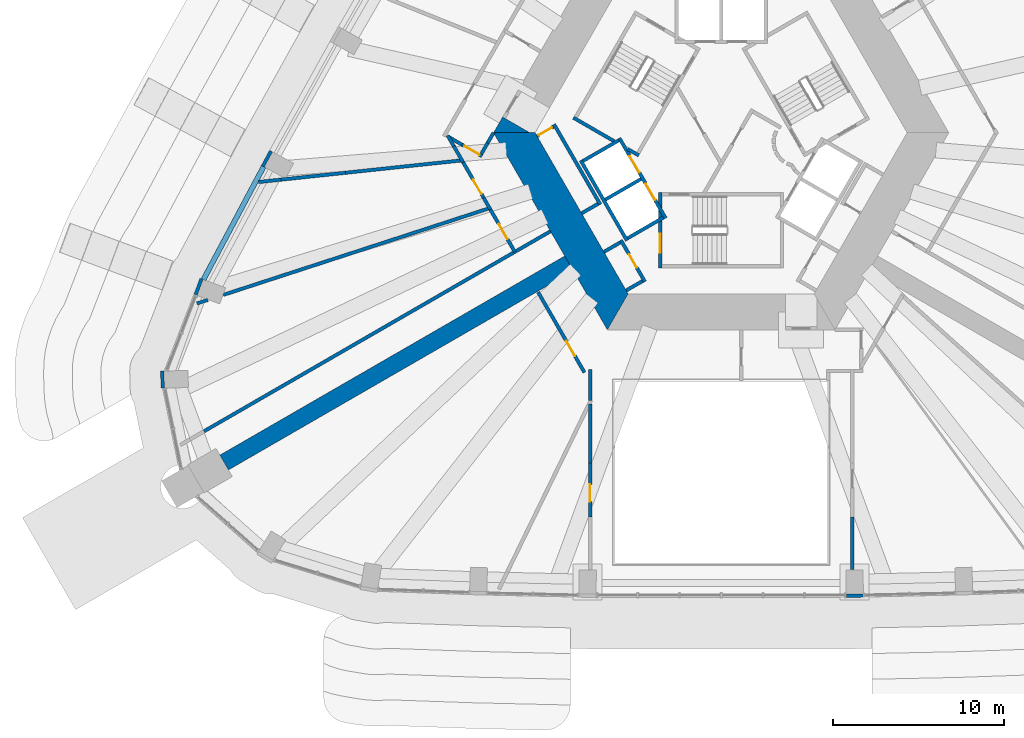
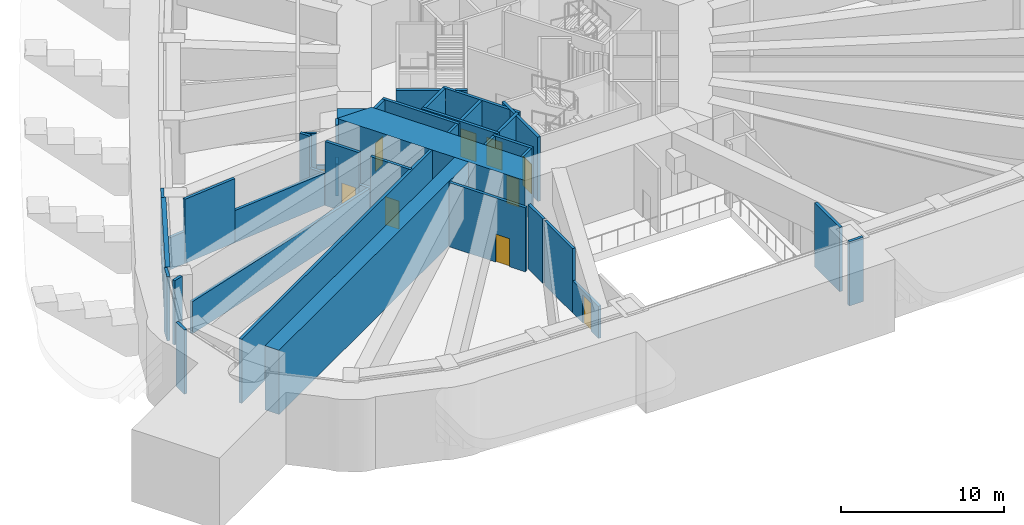
# One storey, part 8 of 21: 43 walls, 10 doors, 10 openings.
"""IFC4 building model written with IfcOpenShell, lengths in metres."""

from ifc_helpers import new_model, si_unit, direction, frame, frame_2d, origin, place, context, subcontext, project, spatial, polyline, rectangle, outline, extrude, material, layer, layer_set, type_object, element, fill, save


model = new_model("IFC4")

# Units and contexts
model_context = context("Model", 3, precision=1e-05, world=origin(), true_north=direction((0.0, 1.0)))
body_context = subcontext(model_context, "Body", "Model", "MODEL_VIEW")
ifc_project = project(units=[si_unit("LENGTHUNIT", "METRE"), si_unit("AREAUNIT", "SQUARE_METRE"), si_unit("VOLUMEUNIT", "CUBIC_METRE"), si_unit("PLANEANGLEUNIT", "RADIAN"), si_unit("MASSUNIT", "GRAM", prefix="KILO")], contexts=[model_context])

# Site, building, storey
site_placement = place(None, origin())
site = spatial("IfcSite", under=ifc_project, at=site_placement, CompositionType="ELEMENT")
building_placement = place(site_placement, origin())
building = spatial("IfcBuilding", under=site, at=building_placement, Name="Entoto Arch Interchange Tower", CompositionType="ELEMENT")
storey_placement = place(building_placement, frame((0.0, 0.0, 236.0)))
storey = spatial("IfcBuildingStorey", under=building, at=storey_placement, Name="L53", CompositionType="ELEMENT", Elevation=236.0)

# Walls
ifc_material_1 = material(Name="Concrete C50/60", Category="concrete")
ifc_layer_1 = layer(ifc_material_1, 2.10009765625)
ifc_layer_set_1 = layer_set([ifc_layer_1], Name="Concrete C50/60")
wall_type_1 = type_object("IfcWallType", Name="Core wall 2100 C50/60", PredefinedType="SHEAR", material=ifc_layer_set_1)
wall_1_placement = place(storey_placement, frame((0.0, 0.0, -0.60009765625)))
element("IfcWall", 1, at=wall_1_placement, inside=storey, type_object=wall_type_1, Name="Core wall NW L53", PredefinedType="SHEAR", context=body_context, shape_type="SweptSolid", body=[
    extrude(outline(polyline([(-11.159912109375, 2.5), (-12.7490234375, 3.4169921875), (-13.279052734375, 2.5), (-11.159912109375, 2.5)])), origin(), (0.0, 0.0, 1.0), 5.400146484375),
])
wall_2_placement = place(storey_placement, frame((0.0, 0.0, -0.60009765625)))
element("IfcWall", 2, at=wall_2_placement, inside=storey, type_object=wall_type_1, Name="Core wall SW L53", PredefinedType="SHEAR", context=body_context, shape_type="SweptSolid", body=[
    extrude(outline(polyline([(-13.279052734375, 2.5), (-6.639892578125, -9.0), (-5.427001953125, -6.89990234375), (-10.85400390625, 2.5), (-13.279052734375, 2.5)])), origin(), (0.0, 0.0, 1.0), 5.400146484375),
])

# Wall, openings, doors
ifc_material_2 = material(Name="Concrete C40/50", Category="concrete")
ifc_layer_2 = layer(ifc_material_2, 0.199951171875)
ifc_layer_set_2 = layer_set([ifc_layer_2], Name="Concrete C40/50")
wall_type_2 = type_object("IfcWallType", Name="LIFT SHAFT WALL 200", PredefinedType="STANDARD", material=ifc_layer_set_2)
wall_3_placement = place(storey_placement, frame((-5.93994140625, 2.18798828125, 0.0), z_axis=(0.0, 0.0, 1.0), x_axis=(0.500034260056, -0.866005622828, 0.0)))
wall_3 = element("IfcWall", 3, at=wall_3_placement, inside=storey, type_object=wall_type_2, Name="Shaft wall SW1 front", PredefinedType="STANDARD", context=body_context, shape_type="SweptSolid", body=[
    extrude(rectangle(XDim=5.3994140625, YDim=0.199951171875, at=frame_2d((2.69970703125, 0.0))), origin(), (0.0, 0.0, 1.0), 4.800048828125),
])
opening_1_placement = place(wall_3_placement, frame((3.074951171875, 0.0, 0.0)))
opening_1 = element("IfcOpeningElement", 4, at=opening_1_placement, cuts=wall_3, Name="Opening LD-HR4-L53", PredefinedType="OPENING", context=body_context, shape_type="SweptSolid", body=[
    extrude(rectangle(XDim=1.10009765625, YDim=2.10009765625, at=frame_2d((0.550048828125, 1.050048828125))), frame((0.0, 0.10986328125, 0.0), z_axis=(0.0, -1.0, 0.0), x_axis=(1.0, 0.0, 0.0)), (0.0, 0.0, 1.0), 0.219970703125),
])
opening_2_placement = place(wall_3_placement, frame((1.22509765625, 0.0, 0.0)))
opening_2 = element("IfcOpeningElement", 5, at=opening_2_placement, cuts=wall_3, Name="Opening LD-FF2-L53", PredefinedType="OPENING", context=body_context, shape_type="SweptSolid", body=[
    extrude(rectangle(XDim=1.10009765625, YDim=2.10009765625, at=frame_2d((0.550048828125, 1.050048828125))), frame((0.0, 0.10986328125, 0.0), z_axis=(0.0, -1.0, 0.0), x_axis=(1.0, 0.0, 0.0)), (0.0, 0.0, 1.0), 0.219970703125),
])
ifc_material_3 = material(Name="Stainless steel 1.4301 panels", Category="steel")
door_type_1 = type_object("IfcDoorType", Name="LIFT LANDING DOOR LD1 1100x2100", OperationType="SLIDING_TO_LEFT", PredefinedType="DOOR", material=ifc_material_3)
door_1_placement = place(opening_1_placement, origin())
door_1 = element("IfcDoor", 6, at=door_1_placement, inside=storey, type_object=door_type_1, Name="Lift landing door HR4 L53", OperationType="SLIDING_TO_LEFT", OverallHeight=2.10009765625, OverallWidth=1.10009765625, PredefinedType="DOOR", context=body_context, shape_type="SweptSolid", body=[
    extrude(rectangle(XDim=1.10009765625, YDim=2.10009765625, at=frame_2d((0.550048828125, 1.050048828125))), frame((0.0, 0.02490234375, 0.0), z_axis=(0.0, -1.0, 0.0), x_axis=(1.0, 0.0, 0.0)), (0.0, 0.0, 1.0), 0.050048828125),
])
fill(opening_1, door_1)
door_2_placement = place(opening_2_placement, origin())
door_2 = element("IfcDoor", 7, at=door_2_placement, inside=storey, type_object=door_type_1, Name="Lift landing door FF2 L53", OperationType="SLIDING_TO_LEFT", OverallHeight=2.10009765625, OverallWidth=1.10009765625, PredefinedType="DOOR", context=body_context, shape_type="SweptSolid", body=[
    extrude(rectangle(XDim=1.10009765625, YDim=2.10009765625, at=frame_2d((0.550048828125, 1.050048828125))), frame((0.0, 0.02490234375, 0.0), z_axis=(0.0, -1.0, 0.0), x_axis=(1.0, 0.0, 0.0)), (0.0, 0.0, 1.0), 0.050048828125),
])
fill(opening_2, door_2)

# Walls
wall_4_placement = place(storey_placement, frame((-8.19189453125, 0.887939453125, 0.0), z_axis=(0.0, 0.0, 1.0), x_axis=(0.500034260056, -0.866005622828, 0.0)))
element("IfcWall", 8, at=wall_4_placement, inside=storey, type_object=wall_type_2, Name="Shaft wall SW1 back", PredefinedType="STANDARD", context=body_context, shape_type="SweptSolid", body=[
    extrude(rectangle(XDim=5.3994140625, YDim=0.199951171875, at=frame_2d((2.69970703125, 0.0))), origin(), (0.0, 0.0, 1.0), 4.800048828125),
])
for number, where, z_axis, x_axis, name in (
    (9, (-5.97705078125, 2.052001953125, 0.0), (0.0, 0.0, 1.0), (-0.865973769406, -0.500089422704, 0.0), "Shaft wall SW1 cross 1"),
    (10, (-4.677001953125, -0.199951171875, 0.0), (0.0, 0.0, 1.0), (-0.865973769406, -0.500089422704, 0.0), "Shaft wall SW1 cross 2"),
):
    element("IfcWall", number, at=place(storey_placement, frame(where, z_axis=z_axis, x_axis=x_axis)), inside=storey, type_object=wall_type_2, Name=name, PredefinedType="STANDARD", context=body_context, shape_type="SweptSolid", body=[
        extrude(rectangle(XDim=2.3994140625, YDim=0.199951171875, at=frame_2d((1.19970703125, 0.0))), origin(), (0.0, 0.0, 1.0), 4.800048828125),
    ])
wall_5_placement = place(storey_placement, frame((-3.376953125, -2.451904296875, 0.0), z_axis=(0.0, 0.0, 1.0), x_axis=(-0.865955154139, -0.50012165622, 0.0)))
element("IfcWall", 11, at=wall_5_placement, inside=storey, type_object=wall_type_2, Name="Shaft wall SW1 cross 3", PredefinedType="STANDARD", context=body_context, shape_type="SweptSolid", body=[
    extrude(rectangle(XDim=2.39990234375, YDim=0.199951171875, at=frame_2d((1.199951171875, 0.0))), origin(), (0.0, 0.0, 1.0), 4.800048828125),
])
ifc_layer_3 = layer(ifc_material_1, 1.0)
ifc_layer_set_3 = layer_set([ifc_layer_3], Name="Concrete C50/60")
wall_type_3 = type_object("IfcWallType", Name="Outrigger wall 1000 C50/60", PredefinedType="SHEAR", material=ifc_layer_set_3)
wall_6_placement = place(storey_placement, frame((-8.876953125, -5.125, 0.0), z_axis=(0.0, 0.0, 1.0), x_axis=(-0.866032640494, -0.499987465442, 0.0)))
element("IfcWall", 12, at=wall_6_placement, inside=storey, type_object=wall_type_3, Name="Outrigger wall SW L53", PredefinedType="SHEAR", context=body_context, shape_type="SweptSolid", body=[
    extrude(rectangle(XDim=23.232421875, YDim=1.0, at=frame_2d((11.6162109375, 0.0))), origin(), (0.0, 0.0, 1.0), 4.800048828125),
])

# Wall, opening, door
ifc_material_4 = material(Name="Gypsum board partition on steel studs", Category="steel")
ifc_layer_4 = layer(ifc_material_4, 0.199951171875)
ifc_layer_set_4 = layer_set([ifc_layer_4], Name="Gypsum board partition on steel studs")
wall_type_4 = type_object("IfcWallType", Name="PARTITION 200", PredefinedType="PARTITIONING", material=ifc_layer_set_4)
wall_7_placement = place(storey_placement, frame((-10.740966796875, 2.302978515625, 0.0), z_axis=(0.0, 0.0, 1.0), x_axis=(0.866063652425, 0.499933745558, 0.0)))
wall_7 = element("IfcWall", 13, at=wall_7_placement, inside=storey, type_object=wall_type_4, Name="wall:L53:p013", PredefinedType="PARTITIONING", context=body_context, shape_type="SweptSolid", body=[
    extrude(rectangle(XDim=1.100341796875, YDim=0.199951171875, at=frame_2d((0.55029296875, 0.0))), origin(), (0.0, 0.0, 1.0), 4.800048828125),
])
opening_3_placement = place(wall_7_placement, frame((0.10009765625, 0.0, 0.0)))
opening_3 = element("IfcOpeningElement", 14, at=opening_3_placement, cuts=wall_7, Name="Opening L53-D26", PredefinedType="OPENING", context=body_context, shape_type="SweptSolid", body=[
    extrude(rectangle(XDim=0.89990234375, YDim=2.10009765625, at=frame_2d((0.449951171875, 1.050048828125))), frame((0.0, 0.10986328125, 0.0), z_axis=(0.0, -1.0, 0.0), x_axis=(1.0, 0.0, 0.0)), (0.0, 0.0, 1.0), 0.219970703125),
])
ifc_material_5 = material(Name="Timber door leaf in Steel S235 frame", Category="steel")
door_type_2 = type_object("IfcDoorType", Name="DOOR DS-09 900x2100", OperationType="SINGLE_SWING_LEFT", PredefinedType="DOOR", material=ifc_material_5)
door_3_placement = place(opening_3_placement, origin())
door_3 = element("IfcDoor", 15, at=door_3_placement, inside=storey, type_object=door_type_2, Name="door:L53:26", OperationType="SINGLE_SWING_RIGHT", OverallHeight=2.10009765625, OverallWidth=0.89990234375, PredefinedType="DOOR", context=body_context, shape_type="SweptSolid", body=[
    extrude(rectangle(XDim=0.89990234375, YDim=2.10009765625, at=frame_2d((0.449951171875, 1.050048828125))), frame((0.0, 0.02490234375, 0.0), z_axis=(0.0, -1.0, 0.0), x_axis=(1.0, 0.0, 0.0)), (0.0, 0.0, 1.0), 0.050048828125),
])
fill(opening_3, door_3)

# Walls
wall_8_placement = place(storey_placement, frame((-9.7509765625, 2.989990234375, 0.0), z_axis=(0.0, 0.0, 1.0), x_axis=(0.499955951776, -0.866050833545, 0.0)))
element("IfcWall", 16, at=wall_8_placement, inside=storey, type_object=wall_type_4, Name="wall:L53:p014", PredefinedType="PARTITIONING", context=body_context, shape_type="SweptSolid", body=[
    extrude(rectangle(XDim=5.400390625, YDim=0.199951171875, at=frame_2d((2.7001953125, 0.0))), origin(), (0.0, 0.0, 1.0), 4.800048828125),
])
wall_9_placement = place(storey_placement, frame((-7.18798828125, -1.64990234375, 0.0), z_axis=(0.0, 0.0, 1.0), x_axis=(-0.865841558281, -0.500318294642, 0.0)))
element("IfcWall", 17, at=wall_9_placement, inside=storey, type_object=wall_type_4, Name="wall:L53:p015", PredefinedType="PARTITIONING", context=body_context, shape_type="SweptSolid", body=[
    extrude(rectangle(XDim=1.099365234375, YDim=0.199951171875, at=frame_2d((0.5498046875, 0.0))), origin(), (0.0, 0.0, 1.0), 4.800048828125),
])
wall_10_placement = place(storey_placement, frame((-6.841064453125, -4.451904296875, 0.0), z_axis=(0.0, 0.0, 1.0), x_axis=(0.86621513555, 0.499671230855, 0.0)))
element("IfcWall", 18, at=wall_10_placement, inside=storey, type_object=wall_type_4, Name="wall:L53:p016", PredefinedType="PARTITIONING", context=body_context, shape_type="SweptSolid", body=[
    extrude(rectangle(XDim=1.100341796875, YDim=0.199951171875, at=frame_2d((0.55029296875, 0.0))), origin(), (0.0, 0.0, 1.0), 4.800048828125),
])

# Wall, opening, door
wall_11_placement = place(storey_placement, frame((-5.85107421875, -3.764892578125, 0.0), z_axis=(0.0, 0.0, 1.0), x_axis=(0.500011755427, -0.866018616679, 0.0)))
wall_11 = element("IfcWall", 19, at=wall_11_placement, inside=storey, type_object=wall_type_4, Name="wall:L53:p017", PredefinedType="PARTITIONING", context=body_context, shape_type="SweptSolid", body=[
    extrude(rectangle(XDim=2.80029296875, YDim=0.199951171875, at=frame_2d((1.400146484375, 0.0))), origin(), (0.0, 0.0, 1.0), 4.800048828125),
])
opening_4_placement = place(wall_11_placement, frame((0.949951171875, 0.0, 0.0)))
opening_4 = element("IfcOpeningElement", 20, at=opening_4_placement, cuts=wall_11, Name="Opening L53-D27", PredefinedType="OPENING", context=body_context, shape_type="SweptSolid", body=[
    extrude(rectangle(XDim=0.89990234375, YDim=2.10009765625, at=frame_2d((0.449951171875, 1.050048828125))), frame((0.0, 0.10986328125, 0.0), z_axis=(0.0, -1.0, 0.0), x_axis=(1.0, 0.0, 0.0)), (0.0, 0.0, 1.0), 0.219970703125),
])
door_4_placement = place(opening_4_placement, origin())
door_4 = element("IfcDoor", 21, at=door_4_placement, inside=storey, type_object=door_type_2, Name="door:L53:27", OperationType="SINGLE_SWING_RIGHT", OverallHeight=2.10009765625, OverallWidth=0.89990234375, PredefinedType="DOOR", context=body_context, shape_type="SweptSolid", body=[
    extrude(rectangle(XDim=0.89990234375, YDim=2.10009765625, at=frame_2d((0.449951171875, 1.050048828125))), frame((0.0, 0.02490234375, 0.0), z_axis=(0.0, -1.0, 0.0), x_axis=(1.0, 0.0, 0.0)), (0.0, 0.0, 1.0), 0.050048828125),
])
fill(opening_4, door_4)

# Walls
wall_12_placement = place(storey_placement, frame((-4.587890625, -6.153076171875, 0.0), z_axis=(0.0, 0.0, 1.0), x_axis=(-0.86621513555, -0.499671230855, 0.0)))
element("IfcWall", 22, at=wall_12_placement, inside=storey, type_object=wall_type_4, Name="wall:L53:p018", PredefinedType="PARTITIONING", context=body_context, shape_type="SweptSolid", body=[
    extrude(rectangle(XDim=1.100341796875, YDim=0.199951171875, at=frame_2d((0.55029296875, 0.0))), origin(), (0.0, 0.0, 1.0), 4.800048828125),
])
wall_13_placement = place(storey_placement, frame((-7.64990234375, -13.113037109375, 0.0), z_axis=(0.0, 0.0, 1.0), x_axis=(0.0, 1.0, 0.0)))
element("IfcWall", 23, at=wall_13_placement, inside=storey, type_object=wall_type_4, Name="wall:L53:p038", PredefinedType="PARTITIONING", context=body_context, shape_type="SweptSolid", body=[
    extrude(rectangle(XDim=1.81298828125, YDim=0.199951171875, at=frame_2d((0.906494140625, 0.0))), origin(), (0.0, 0.0, 1.0), 4.800048828125),
])

# Wall, opening, door
wall_14_placement = place(storey_placement, frame((-7.97607421875, -11.487060546875, 0.0), z_axis=(0.0, 0.0, 1.0), x_axis=(-0.499909942208, 0.866077392432, 0.0)))
wall_14 = element("IfcWall", 24, at=wall_14_placement, inside=storey, type_object=wall_type_4, Name="wall:L53:p039", PredefinedType="PARTITIONING", context=body_context, shape_type="SweptSolid", body=[
    extrude(rectangle(XDim=5.41064453125, YDim=0.199951171875, at=frame_2d((2.705322265625, 0.0))), origin(), (0.0, 0.0, 1.0), 4.800048828125),
])
opening_5_placement = place(wall_14_placement, frame((1.111083984375, 0.0, 0.0)))
opening_5 = element("IfcOpeningElement", 25, at=opening_5_placement, cuts=wall_14, Name="Opening L53-D03", PredefinedType="OPENING", context=body_context, shape_type="SweptSolid", body=[
    extrude(rectangle(XDim=1.0, YDim=2.10009765625, at=frame_2d((0.5, 1.050048828125))), frame((0.0, 0.10986328125, 0.0), z_axis=(0.0, -1.0, 0.0), x_axis=(1.0, 0.0, 0.0)), (0.0, 0.0, 1.0), 0.219970703125),
])
ifc_material_6 = material(Name="Fire-rated Steel S235 door and frame", Category="steel")
door_type_3 = type_object("IfcDoorType", Name="DOOR FD-10 1000x2100", OperationType="SINGLE_SWING_LEFT", PredefinedType="DOOR", material=ifc_material_6)
door_5_placement = place(opening_5_placement, origin())
door_5 = element("IfcDoor", 26, at=door_5_placement, inside=storey, type_object=door_type_3, Name="door:L53:03", OperationType="SINGLE_SWING_LEFT", OverallHeight=2.10009765625, OverallWidth=1.0, PredefinedType="DOOR", context=body_context, shape_type="SweptSolid", body=[
    extrude(rectangle(XDim=1.0, YDim=2.10009765625, at=frame_2d((0.5, 1.050048828125))), frame((0.0, 0.02490234375, 0.0), z_axis=(0.0, -1.0, 0.0), x_axis=(1.0, 0.0, 0.0)), (0.0, 0.0, 1.0), 0.050048828125),
])
fill(opening_5, door_5)

wall_15_placement = place(storey_placement, frame((-13.955078125, 1.12890625, 0.0), z_axis=(0.0, 0.0, 1.0), x_axis=(-0.86610721073, 0.499858279437, 0.0)))
wall_15 = element("IfcWall", 27, at=wall_15_placement, inside=storey, type_object=wall_type_4, Name="wall:L53:p063", PredefinedType="PARTITIONING", context=body_context, shape_type="SweptSolid", body=[
    extrude(rectangle(XDim=1.3486328125, YDim=0.199951171875, at=frame_2d((0.67431640625, 0.0))), origin(), (0.0, 0.0, 1.0), 2.39990234375),
])
opening_6_placement = place(wall_15_placement, frame((0.169921875, 0.0, 0.0)))
opening_6 = element("IfcOpeningElement", 28, at=opening_6_placement, cuts=wall_15, Name="Opening L53-D13", PredefinedType="OPENING", context=body_context, shape_type="SweptSolid", body=[
    extrude(rectangle(XDim=1.0, YDim=2.10009765625, at=frame_2d((0.5, 1.050048828125))), frame((0.0, 0.10986328125, 0.0), z_axis=(0.0, -1.0, 0.0), x_axis=(1.0, 0.0, 0.0)), (0.0, 0.0, 1.0), 0.219970703125),
])
door_6_placement = place(opening_6_placement, origin())
door_6 = element("IfcDoor", 29, at=door_6_placement, inside=storey, type_object=door_type_3, Name="door:L53:13", OperationType="SINGLE_SWING_LEFT", OverallHeight=2.10009765625, OverallWidth=1.0, PredefinedType="DOOR", context=body_context, shape_type="SweptSolid", body=[
    extrude(rectangle(XDim=1.0, YDim=2.10009765625, at=frame_2d((0.5, 1.050048828125))), frame((0.0, 0.02490234375, 0.0), z_axis=(0.0, -1.0, 0.0), x_axis=(1.0, 0.0, 0.0)), (0.0, 0.0, 1.0), 0.050048828125),
])
fill(opening_6, door_6)

# Walls
wall_16_placement = place(storey_placement, frame((-13.991943359375, 1.26611328125, 0.0), z_axis=(0.0, 0.0, 1.0), x_axis=(0.500049712553, 0.865996700326, 0.0)))
element("IfcWall", 30, at=wall_16_placement, inside=storey, type_object=wall_type_4, Name="wall:L53:p064", PredefinedType="PARTITIONING", context=body_context, shape_type="SweptSolid", body=[
    extrude(rectangle(XDim=0.73193359375, YDim=0.199951171875, at=frame_2d((0.365966796875, 0.0))), origin(), (0.0, 0.0, 1.0), 2.39990234375),
])
wall_17_placement = place(storey_placement, frame((-13.4599609375, -1.987060546875, 0.0), z_axis=(0.0, 0.0, 1.0), x_axis=(-0.499670304667, 0.866215669815, 0.0)))
element("IfcWall", 31, at=wall_17_placement, inside=storey, type_object=wall_type_4, Name="wall:L53:p068", PredefinedType="PARTITIONING", context=body_context, shape_type="SweptSolid", body=[
    extrude(rectangle(XDim=0.810546875, YDim=0.199951171875, at=frame_2d((0.4052734375, 0.0))), origin(), (0.0, 0.0, 1.0), 2.39990234375),
])

# Wall, opening, door
wall_18_placement = place(storey_placement, frame((-13.4599609375, -1.987060546875, 0.0), z_axis=(0.0, 0.0, 1.0), x_axis=(0.499980071345, -0.866036909293, 0.0)))
wall_18 = element("IfcWall", 32, at=wall_18_placement, inside=storey, type_object=wall_type_4, Name="wall:L53:p069", PredefinedType="PARTITIONING", context=body_context, shape_type="SweptSolid", body=[
    extrude(rectangle(XDim=2.84375, YDim=0.199951171875, at=frame_2d((1.421875, 0.0))), origin(), (0.0, 0.0, 1.0), 4.800048828125),
])
opening_7_placement = place(wall_18_placement, frame((0.97998046875, 0.0, 0.0)))
opening_7 = element("IfcOpeningElement", 33, at=opening_7_placement, cuts=wall_18, Name="Opening L53-D17", PredefinedType="OPENING", context=body_context, shape_type="SweptSolid", body=[
    extrude(rectangle(XDim=1.0, YDim=2.10009765625, at=frame_2d((0.5, 1.050048828125))), frame((0.0, 0.10986328125, 0.0), z_axis=(0.0, -1.0, 0.0), x_axis=(1.0, 0.0, 0.0)), (0.0, 0.0, 1.0), 0.219970703125),
])
door_type_4 = type_object("IfcDoorType", Name="DOOR DS-10 1000x2100", OperationType="SINGLE_SWING_LEFT", PredefinedType="DOOR", material=ifc_material_5)
door_7_placement = place(opening_7_placement, origin())
door_7 = element("IfcDoor", 34, at=door_7_placement, inside=storey, type_object=door_type_4, Name="door:L53:17", OperationType="SINGLE_SWING_LEFT", OverallHeight=2.10009765625, OverallWidth=1.0, PredefinedType="DOOR", context=body_context, shape_type="SweptSolid", body=[
    extrude(rectangle(XDim=1.0, YDim=2.10009765625, at=frame_2d((0.5, 1.050048828125))), frame((0.0, 0.02490234375, 0.0), z_axis=(0.0, -1.0, 0.0), x_axis=(1.0, 0.0, 0.0)), (0.0, 0.0, 1.0), 0.050048828125),
])
fill(opening_7, door_7)

# Walls
wall_19_placement = place(storey_placement, frame((-15.1201171875, 0.888916015625, 0.0), z_axis=(0.0, 0.0, 1.0), x_axis=(-0.994370100713, -0.105962742547, 0.0)))
element("IfcWall", 35, at=wall_19_placement, inside=storey, type_object=wall_type_4, Name="wall:L53:p071", PredefinedType="PARTITIONING", context=body_context, shape_type="SweptSolid", body=[
    extrude(rectangle(XDim=6.83154296875, YDim=0.199951171875, at=frame_2d((3.415771484375, 0.0))), origin(), (0.0, 0.0, 1.0), 2.39990234375),
])
wall_20_placement = place(storey_placement, frame((-13.510009765625, -1.89990234375, 0.0), z_axis=(0.0, 0.0, 1.0), x_axis=(-0.950838276897, -0.309687860897, 0.0)))
element("IfcWall", 36, at=wall_20_placement, inside=storey, type_object=wall_type_4, Name="wall:L53:p072", PredefinedType="PARTITIONING", context=body_context, shape_type="SweptSolid", body=[
    extrude(rectangle(XDim=16.336181640625, YDim=0.199951171875, at=frame_2d((8.16796875, 0.0))), origin(), (0.0, 0.0, 1.0), 2.39990234375),
])
wall_21_placement = place(storey_placement, frame((-29.943115234375, -7.251953125, 0.0), z_axis=(0.0, 0.0, 1.0), x_axis=(-0.950856641613, -0.309631469817, 0.0)))
element("IfcWall", 37, at=wall_21_placement, inside=storey, type_object=wall_type_4, Name="wall:L53:p073", PredefinedType="PARTITIONING", context=body_context, shape_type="SweptSolid", body=[
    extrude(rectangle(XDim=0.677978515625, YDim=0.199951171875, at=frame_2d((0.3388671875, 0.0))), origin(), (0.0, 0.0, 1.0), 4.800048828125),
])
wall_22_placement = place(storey_placement, frame((7.64990234375, -19.922119140625, 0.0), z_axis=(0.0, 0.0, 1.0), x_axis=(0.0, -1.0, 0.0)))
element("IfcWall", 38, at=wall_22_placement, inside=storey, type_object=wall_type_4, Name="wall:L53:p037", PredefinedType="PARTITIONING", context=body_context, shape_type="SweptSolid", body=[
    extrude(rectangle(XDim=3.06591796875, YDim=0.199951171875, at=frame_2d((1.532958984375, 0.0))), origin(), (0.0, 0.0, 1.0), 4.800048828125),
])

# Wall, opening, door
wall_23_placement = place(storey_placement, frame((-7.64990234375, -19.922119140625, 0.0), z_axis=(0.0, 0.0, 1.0), x_axis=(0.0, 1.0, 0.0)))
wall_23 = element("IfcWall", 39, at=wall_23_placement, inside=storey, type_object=wall_type_4, Name="wall:L53:p040", PredefinedType="PARTITIONING", context=body_context, shape_type="SweptSolid", body=[
    extrude(rectangle(XDim=3.1572265625, YDim=0.199951171875, at=frame_2d((1.57861328125, 0.0))), origin(), (0.0, 0.0, 1.0), 2.39990234375),
])
opening_8_placement = place(wall_23_placement, frame((0.905029296875, 0.0, 0.0)))
opening_8 = element("IfcOpeningElement", 40, at=opening_8_placement, cuts=wall_23, Name="Opening L53-D04", PredefinedType="OPENING", context=body_context, shape_type="SweptSolid", body=[
    extrude(rectangle(XDim=1.0, YDim=2.10009765625, at=frame_2d((0.5, 1.050048828125))), frame((0.0, 0.10986328125, 0.0), z_axis=(0.0, -1.0, 0.0), x_axis=(1.0, 0.0, 0.0)), (0.0, 0.0, 1.0), 0.219970703125),
])
door_8_placement = place(opening_8_placement, origin())
door_8 = element("IfcDoor", 41, at=door_8_placement, inside=storey, type_object=door_type_4, Name="door:L53:04", OperationType="SINGLE_SWING_RIGHT", OverallHeight=2.10009765625, OverallWidth=1.0, PredefinedType="DOOR", context=body_context, shape_type="SweptSolid", body=[
    extrude(rectangle(XDim=1.0, YDim=2.10009765625, at=frame_2d((0.5, 1.050048828125))), frame((0.0, 0.02490234375, 0.0), z_axis=(0.0, -1.0, 0.0), x_axis=(1.0, 0.0, 0.0)), (0.0, 0.0, 1.0), 0.050048828125),
])
fill(opening_8, door_8)

# Walls
wall_24_placement = place(storey_placement, frame((-7.64990234375, -16.764892578125, 0.0), z_axis=(0.0, 0.0, 1.0), x_axis=(0.0, 1.0, 0.0)))
element("IfcWall", 42, at=wall_24_placement, inside=storey, type_object=wall_type_4, Name="wall:L53:p040", PredefinedType="PARTITIONING", context=body_context, shape_type="SweptSolid", body=[
    extrude(rectangle(XDim=3.451904296875, YDim=0.199951171875, at=frame_2d((1.72607421875, 0.0))), origin(), (0.0, 0.0, 1.0), 4.800048828125),
])
wall_25_placement = place(storey_placement, frame((-30.173095703125, -14.919921875, 0.0), z_axis=(0.0, 0.0, 1.0), x_axis=(0.866038403425, 0.499977483287, 0.0)))
element("IfcWall", 43, at=wall_25_placement, inside=storey, type_object=wall_type_4, Name="wall:L53:p045", PredefinedType="PARTITIONING", context=body_context, shape_type="SweptSolid", body=[
    extrude(rectangle(XDim=23.3408203125, YDim=0.199951171875, at=frame_2d((11.67041015625, 0.0))), origin(), (0.0, 0.0, 1.0), 4.800048828125),
])
wall_26_placement = place(storey_placement, frame((-15.123046875, 1.802978515625, 0.0), z_axis=(0.0, 0.0, 1.0), x_axis=(-0.865652990476, 0.500644484719, 0.0)))
element("IfcWall", 44, at=wall_26_placement, inside=storey, type_object=wall_type_4, Name="wall:L53:p063", PredefinedType="PARTITIONING", context=body_context, shape_type="SweptSolid", body=[
    extrude(rectangle(XDim=0.908935546875, YDim=0.199951171875, at=frame_2d((0.45458984375, 0.0))), origin(), (0.0, 0.0, 1.0), 4.800048828125),
])
wall_27_placement = place(storey_placement, frame((-13.6259765625, 1.89990234375, 0.0), z_axis=(0.0, 0.0, 1.0), x_axis=(0.500494699761, 0.86573960029, 0.0)))
element("IfcWall", 45, at=wall_27_placement, inside=storey, type_object=wall_type_4, Name="wall:L53:p064", PredefinedType="PARTITIONING", context=body_context, shape_type="SweptSolid", body=[
    extrude(rectangle(XDim=0.693115234375, YDim=0.199951171875, at=frame_2d((0.3466796875, 0.0))), origin(), (0.0, 0.0, 1.0), 4.800048828125),
])

# Wall, opening, door
wall_28_placement = place(storey_placement, frame((-13.864990234375, -1.284912109375, 0.0), z_axis=(0.0, 0.0, 1.0), x_axis=(-0.499905644439, 0.86607987314, 0.0)))
wall_28 = element("IfcWall", 46, at=wall_28_placement, inside=storey, type_object=wall_type_4, Name="wall:L53:p068", PredefinedType="PARTITIONING", context=body_context, shape_type="SweptSolid", body=[
    extrude(rectangle(XDim=2.38427734375, YDim=0.199951171875, at=frame_2d((1.192138671875, 0.0))), origin(), (0.0, 0.0, 1.0), 4.800048828125),
])
opening_9_placement = place(wall_28_placement, frame((0.23095703125, 0.0, 0.0)))
opening_9 = element("IfcOpeningElement", 47, at=opening_9_placement, cuts=wall_28, Name="Opening L53-D16", PredefinedType="OPENING", context=body_context, shape_type="SweptSolid", body=[
    extrude(rectangle(XDim=1.0, YDim=2.10009765625, at=frame_2d((0.5, 1.050048828125))), frame((0.0, 0.10986328125, 0.0), z_axis=(0.0, -1.0, 0.0), x_axis=(1.0, 0.0, 0.0)), (0.0, 0.0, 1.0), 0.219970703125),
])
door_9_placement = place(opening_9_placement, origin())
door_9 = element("IfcDoor", 48, at=door_9_placement, inside=storey, type_object=door_type_3, Name="door:L53:16", OperationType="SINGLE_SWING_RIGHT", OverallHeight=2.10009765625, OverallWidth=1.0, PredefinedType="DOOR", context=body_context, shape_type="SweptSolid", body=[
    extrude(rectangle(XDim=1.0, YDim=2.10009765625, at=frame_2d((0.5, 1.050048828125))), frame((0.0, 0.02490234375, 0.0), z_axis=(0.0, -1.0, 0.0), x_axis=(1.0, 0.0, 0.0)), (0.0, 0.0, 1.0), 0.050048828125),
])
fill(opening_9, door_9)

# Walls
wall_29_placement = place(storey_placement, frame((-15.056884765625, 0.780029296875, 0.0), z_axis=(0.0, 0.0, 1.0), x_axis=(-0.500348398615, 0.865824162289, 0.0)))
element("IfcWall", 49, at=wall_29_placement, inside=storey, type_object=wall_type_4, Name="wall:L53:p068", PredefinedType="PARTITIONING", context=body_context, shape_type="SweptSolid", body=[
    extrude(rectangle(XDim=1.091552734375, YDim=0.199951171875, at=frame_2d((0.5458984375, 0.0))), origin(), (0.0, 0.0, 1.0), 2.39990234375),
])
wall_30_placement = place(storey_placement, frame((-15.60302734375, 1.72509765625, 0.0), z_axis=(0.0, 0.0, 1.0), x_axis=(-0.499594255707, 0.866259533664, 0.0)))
element("IfcWall", 50, at=wall_30_placement, inside=storey, type_object=wall_type_4, Name="wall:L53:p068", PredefinedType="PARTITIONING", context=body_context, shape_type="SweptSolid", body=[
    extrude(rectangle(XDim=0.71435546875, YDim=0.199951171875, at=frame_2d((0.357177734375, 0.0))), origin(), (0.0, 0.0, 1.0), 4.800048828125),
])
wall_31_placement = place(storey_placement, frame((-21.9130859375, 0.1650390625, 0.0), z_axis=(0.0, 0.0, 1.0), x_axis=(-0.994387757351, -0.105796918812, 0.0)))
element("IfcWall", 51, at=wall_31_placement, inside=storey, type_object=wall_type_4, Name="wall:L53:p071", PredefinedType="PARTITIONING", context=body_context, shape_type="SweptSolid", body=[
    extrude(rectangle(XDim=3.7822265625, YDim=0.199951171875, at=frame_2d((1.89111328125, 0.0))), origin(), (0.0, 0.0, 1.0), 4.800048828125),
])
wall_32_placement = place(storey_placement, frame((-25.674072265625, -0.235107421875, 0.0), z_axis=(0.0, 0.0, 1.0), x_axis=(-0.994351234006, -0.106139641183, 0.0)))
element("IfcWall", 52, at=wall_32_placement, inside=storey, type_object=wall_type_4, Name="wall:L53:p071", PredefinedType="PARTITIONING", context=body_context, shape_type="SweptSolid", body=[
    extrude(rectangle(XDim=1.33642578125, YDim=0.199951171875, at=frame_2d((0.668212890625, 0.0))), origin(), (0.0, 0.0, 1.0), 2.39990234375),
])
ifc_material_7 = material(Name="Board-marked precast concrete C50/60", Category="concrete")
ifc_layer_5 = layer(ifc_material_7, 0.199951171875)
ifc_layer_set_5 = layer_set([ifc_layer_5], Name="Board-marked precast concrete C50/60")
wall_type_5 = type_object("IfcWallType", Name="PRECAST FRAME WALL 200", PredefinedType="STANDARD", material=ifc_layer_set_5)
for number, where, z_axis, x_axis, name in (
    (53, (-26.263916015625, 1.427978515625, 0.0), (0.0, 0.0, 1.0), (-0.473954279336, -0.880549454091, 0.0), "Frame pier NW05 L53"),
    (54, (-30.319091796875, -6.02587890625, 0.0), (0.0, 0.0, 1.0), (-0.346813520822, -0.937934103109, 0.0), "Frame pier NW06 L53"),
):
    element("IfcWall", number, at=place(storey_placement, frame(where, z_axis=z_axis, x_axis=x_axis)), inside=storey, type_object=wall_type_5, Name=name, PredefinedType="STANDARD", context=body_context, shape_type="SweptSolid", body=[
        extrude(rectangle(XDim=1.000244140625, YDim=0.199951171875, at=frame_2d((0.5, 0.0))), origin(), (0.0, 0.0, 1.0), 4.800048828125),
    ])
wall_33_placement = place(storey_placement, frame((7.299072265625, -24.512939453125, 0.0), z_axis=(0.0, 0.0, 1.0), x_axis=(0.999903186316, 0.013914668364, 0.0)))
element("IfcWall", 55, at=wall_33_placement, inside=storey, type_object=wall_type_5, Name="Frame pier S04 L53", PredefinedType="STANDARD", context=body_context, shape_type="SweptSolid", body=[
    extrude(rectangle(XDim=1.0, YDim=0.199951171875, at=frame_2d((0.5, 0.0))), origin(), (0.0, 0.0, 1.0), 4.800048828125),
])
wall_34_placement = place(storey_placement, frame((-32.60693359375, -11.405029296875, 0.0), z_axis=(0.0, 0.0, 1.0), x_axis=(0.023942303888, -0.999713341956, 0.0)))
element("IfcWall", 56, at=wall_34_placement, inside=storey, type_object=wall_type_5, Name="Frame pier SW1 L53", PredefinedType="STANDARD", context=body_context, shape_type="SweptSolid", body=[
    extrude(rectangle(XDim=0.999267578125, YDim=0.199951171875, at=frame_2d((0.49951171875, 0.0))), origin(), (0.0, 0.0, 1.0), 4.800048828125),
])
ifc_layer_6 = layer(ifc_material_7, 0.300048828125)
ifc_layer_set_6 = layer_set([ifc_layer_6], Name="Board-marked precast concrete C50/60")
wall_type_6 = type_object("IfcWallType", Name="PRECAST FRAME WALL 300", PredefinedType="STANDARD", material=ifc_layer_set_6)
wall_35_placement = place(storey_placement, frame((-26.69189453125, 0.52392578125, 0.0), z_axis=(0.0, 0.0, 1.0), x_axis=(-0.470523779067, -0.882387314807, 0.0)))
element("IfcWall", 57, at=wall_35_placement, inside=storey, type_object=wall_type_6, Name="Frame sill wall NW-05 L53", PredefinedType="STANDARD", context=body_context, shape_type="SweptSolid", body=[
    extrude(rectangle(XDim=7.470703125, YDim=0.300048828125, at=frame_2d((3.7353515625, 0.0))), origin(), (0.0, 0.0, 1.0), 1.199951171875),
])
wall_36_placement = place(storey_placement, frame((-26.69189453125, 0.52392578125, 4.0), z_axis=(0.0, 0.0, 1.0), x_axis=(-0.470523779067, -0.882387314807, 0.0)))
element("IfcWall", 58, at=wall_36_placement, inside=storey, type_object=wall_type_6, Name="Frame head wall NW-05 L53", PredefinedType="STANDARD", context=body_context, shape_type="SweptSolid", body=[
    extrude(rectangle(XDim=7.470703125, YDim=0.300048828125, at=frame_2d((3.7353515625, 0.0))), origin(), (0.0, 0.0, 1.0), 0.800048828125),
])

# Wall, opening, door
ifc_layer_7 = layer(ifc_material_2, 0.199951171875)
ifc_layer_set_7 = layer_set([ifc_layer_7], Name="Concrete C40/50")
wall_type_7 = type_object("IfcWallType", Name="STAIR ENCLOSURE WALL 200", PredefinedType="STANDARD", material=ifc_layer_set_7)
wall_37_placement = place(storey_placement, frame((-3.550048828125, -1.0, 0.0), z_axis=(0.0, 0.0, 1.0), x_axis=(0.0, -1.0, 0.0)))
wall_37 = element("IfcWall", 59, at=wall_37_placement, inside=storey, type_object=wall_type_7, Name="Stair wall ST-S near", PredefinedType="STANDARD", context=body_context, shape_type="SweptSolid", body=[
    extrude(rectangle(XDim=4.39990234375, YDim=0.199951171875, at=frame_2d((2.199951171875, 0.0))), origin(), (0.0, 0.0, 1.0), 4.800048828125),
])
opening_10_placement = place(wall_37_placement, frame((2.39990234375, 0.0, 0.0)))
opening_10 = element("IfcOpeningElement", 60, at=opening_10_placement, cuts=wall_37, Name="Opening SD-ST-S-L53-E", PredefinedType="OPENING", context=body_context, shape_type="SweptSolid", body=[
    extrude(rectangle(XDim=1.10009765625, YDim=2.199951171875, at=frame_2d((0.550048828125, 1.10009765625))), frame((0.0, 0.10986328125, 0.0), z_axis=(0.0, -1.0, 0.0), x_axis=(1.0, 0.0, 0.0)), (0.0, 0.0, 1.0), 0.219970703125),
])
ifc_material_8 = material(Name="Steel S235", Category="steel")
door_type_5 = type_object("IfcDoorType", Name="STAIR DOOR SD1 1100x2200", OperationType="SINGLE_SWING_LEFT", PredefinedType="DOOR", material=ifc_material_8)
door_10_placement = place(opening_10_placement, origin())
door_10 = element("IfcDoor", 61, at=door_10_placement, inside=storey, type_object=door_type_5, Name="Stair door ST-S L53 end", OperationType="SINGLE_SWING_LEFT", OverallHeight=2.199951171875, OverallWidth=1.10009765625, PredefinedType="DOOR", context=body_context, shape_type="SweptSolid", body=[
    extrude(rectangle(XDim=1.10009765625, YDim=2.199951171875, at=frame_2d((0.550048828125, 1.10009765625))), frame((0.0, 0.02490234375, 0.0), z_axis=(0.0, -1.0, 0.0), x_axis=(1.0, 0.0, 0.0)), (0.0, 0.0, 1.0), 0.050048828125),
])
fill(opening_10, door_10)

# Walls
wall_38_placement = place(storey_placement, frame((-6.25, 2.010009765625, 0.0), z_axis=(0.0, 0.0, 1.0), x_axis=(-0.86611865017, 0.499838457731, 0.0)))
element("IfcWall", 62, at=wall_38_placement, inside=storey, type_object=wall_type_7, Name="Stair wall ST-NW far", PredefinedType="STANDARD", context=body_context, shape_type="SweptSolid", body=[
    extrude(rectangle(XDim=2.73291015625, YDim=0.199951171875, at=frame_2d((1.366455078125, 0.0))), origin(), (0.0, 0.0, 1.0), 4.800048828125),
])
wall_39_placement = place(storey_placement, frame((-4.805908203125, 1.176025390625, 0.0), z_axis=(0.0, 0.0, 1.0), x_axis=(-0.866558586415, 0.499075361355, 0.0)))
element("IfcWall", 63, at=wall_39_placement, inside=storey, type_object=wall_type_7, Name="Stair wall ST-NW far return", PredefinedType="STANDARD", context=body_context, shape_type="SweptSolid", body=[
    extrude(rectangle(XDim=0.75146484375, YDim=0.199951171875, at=frame_2d((0.375732421875, 0.0))), origin(), (0.0, 0.0, 1.0), 4.800048828125),
])

save(model, "model.ifc")
